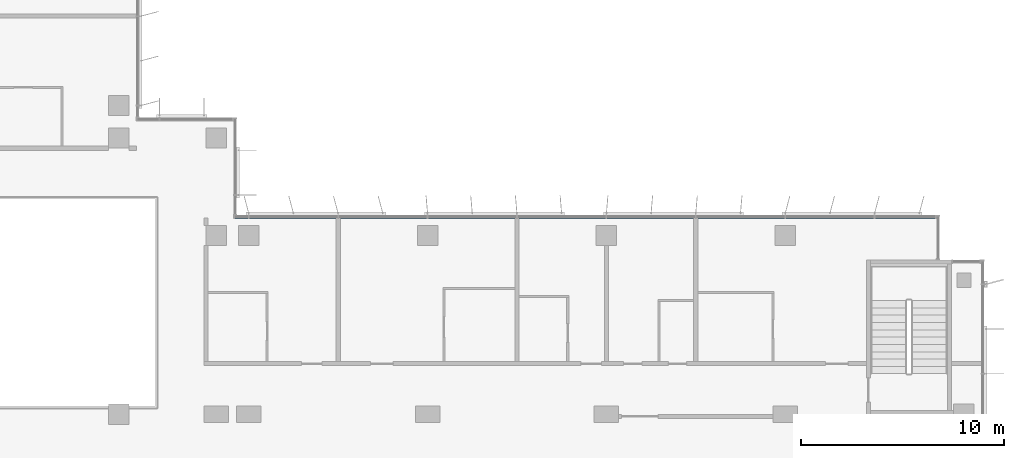
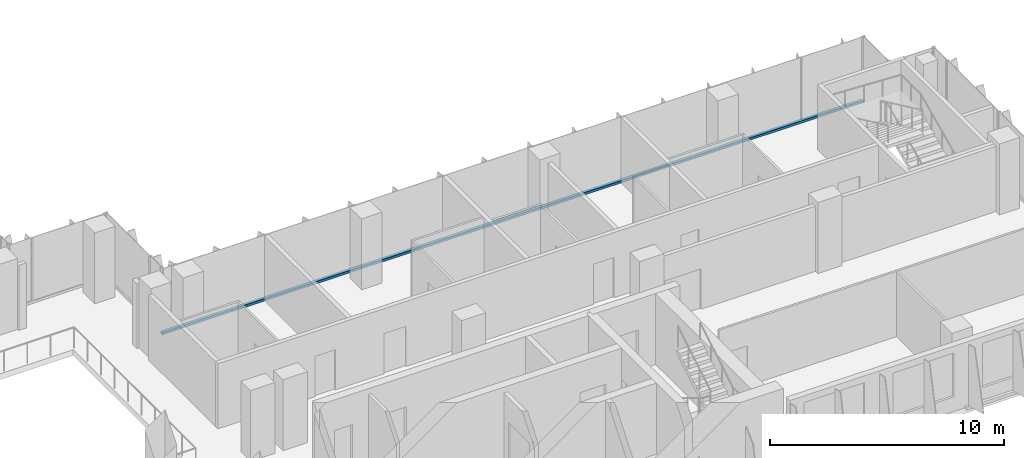
# One storey, part 3 of 21: 1 member, 1 element without a shape of its own.
"""IFC4 building model written with IfcOpenShell, lengths in metres."""

from ifc_helpers import new_model, si_unit, direction, frame, origin, origin_2d, place, context, subcontext, project, spatial, rectangle, extrude, material, material_profile, profile_set, type_object, element, aggregate, save


model = new_model("IFC4")

# Units and contexts
model_context = context("Model", 3, precision=1e-05, world=origin(), true_north=direction((0.0, 1.0)))
body_context = subcontext(model_context, "Body", "Model", "MODEL_VIEW")
ifc_project = project(units=[si_unit("LENGTHUNIT", "METRE"), si_unit("AREAUNIT", "SQUARE_METRE"), si_unit("VOLUMEUNIT", "CUBIC_METRE"), si_unit("PLANEANGLEUNIT", "RADIAN"), si_unit("MASSUNIT", "GRAM", prefix="KILO")], contexts=[model_context])

# Site, building, storey
site_placement = place(None, origin())
site = spatial("IfcSite", under=ifc_project, at=site_placement, CompositionType="ELEMENT")
building_placement = place(site_placement, origin())
building = spatial("IfcBuilding", under=site, at=building_placement, Name="Kemantara Hotel Tower", CompositionType="ELEMENT")
storey_placement = place(building_placement, frame((0.0, 0.0, 175.300048828125)))
storey = spatial("IfcBuildingStorey", under=building, at=storey_placement, Name="L43", CompositionType="ELEMENT", Elevation=175.300048828125)

# Curtain wall, member
ifc_material_1 = material(Name="Low-E tinted double insulated glass 36 mm", Category="glass")
curtain_wall_type = type_object("IfcCurtainWallType", Name="TOWER CURTAIN WALL, FRONT FACES", PredefinedType="USERDEFINED", material=ifc_material_1)
curtain_wall_placement = place(storey_placement, origin())
curtain_wall = element("IfcCurtainWall", 1, at=curtain_wall_placement, inside=storey, type_object=curtain_wall_type, Name="CW4 L43 T3-R14-1", ObjectType="TOWER CURTAIN WALL, FRONT FACES", PredefinedType="USERDEFINED")
ifc_material_2 = material(Name="Aluminium 6063-T6 bronze anodised", Category="aluminium")
ifc_material_profile = material_profile(ifc_material_2, rectangle(XDim=0.14990234375, YDim=0.1201171875, at=origin_2d()), Name="TOWER CURTAIN WALL, FRONT FACES TRANSOM")
ifc_profile_set = profile_set([ifc_material_profile], Name="Aluminium 6063-T6 bronze anodised")
member_type = type_object("IfcMemberType", Name="TOWER CURTAIN WALL, FRONT FACES TRANSOM", PredefinedType="USERDEFINED", material=ifc_profile_set)
member_placement = place(storey_placement, frame((61.25, 21.925048828125, 0.06005859375), z_axis=(-1.0, 0.0, 0.0), x_axis=(0.0, -1.0, 0.0)))
member = element("IfcMember", 2, at=member_placement, type_object=member_type, Name="CW4 sill transom T3-R14-1", ObjectType="TRANSOM", PredefinedType="USERDEFINED", context=body_context, shape_type="SweptSolid", body=[
    extrude(rectangle(XDim=0.14990234375, YDim=0.1201171875, at=origin_2d()), origin(), (0.0, 0.0, 1.0), 34.60009765625),
])
aggregate(curtain_wall, [member])

save(model, "model.ifc")
